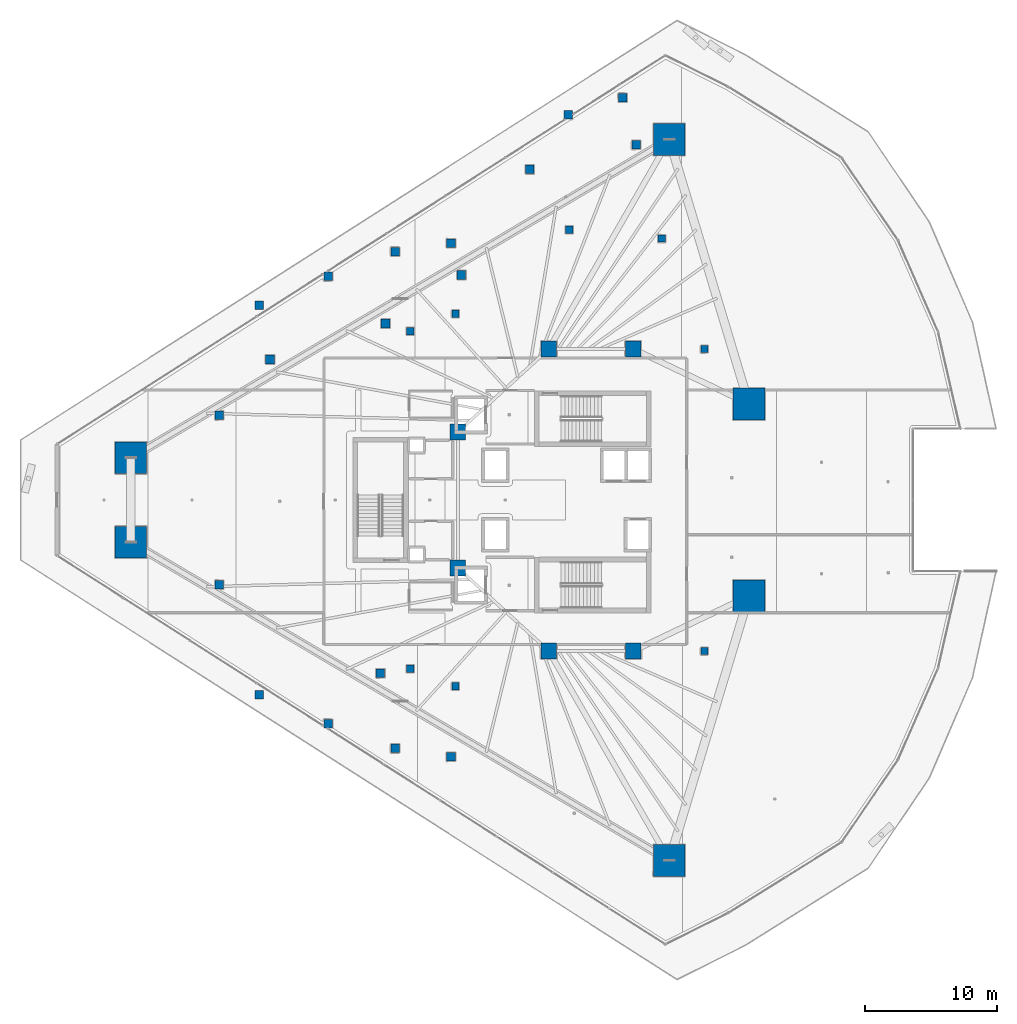
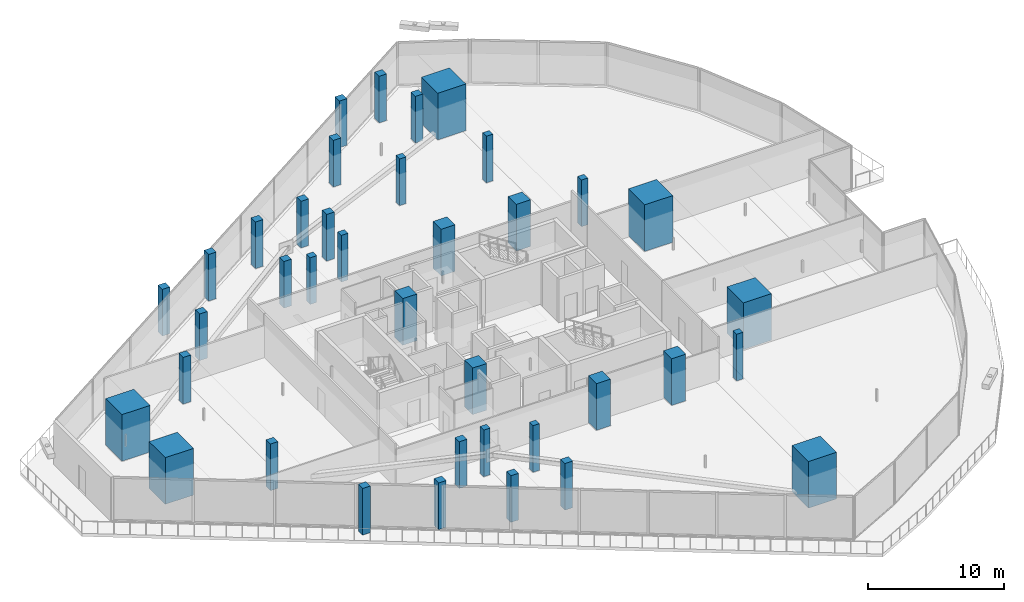
# One storey, part 1 of 43: 38 columns.
"""IFC4 building model written with IfcOpenShell, lengths in metres."""

from ifc_helpers import new_model, si_unit, direction, frame, origin, origin_2d, place, context, subcontext, project, spatial, rectangle, extrude, material, material_profile, profile_set, type_object, element, save


model = new_model("IFC4")

# Units and contexts
model_context = context("Model", 3, precision=1e-05, world=origin(), true_north=direction((0.0, 1.0)))
body_context = subcontext(model_context, "Body", "Model", "MODEL_VIEW")
ifc_project = project(units=[si_unit("LENGTHUNIT", "METRE"), si_unit("AREAUNIT", "SQUARE_METRE"), si_unit("VOLUMEUNIT", "CUBIC_METRE"), si_unit("PLANEANGLEUNIT", "RADIAN"), si_unit("MASSUNIT", "GRAM", prefix="KILO")], contexts=[model_context])

# Site, building, storey
site_placement = place(None, origin())
site = spatial("IfcSite", under=ifc_project, at=site_placement, CompositionType="ELEMENT")
building_placement = place(site_placement, origin())
building = spatial("IfcBuilding", under=site, at=building_placement, Name="Qorvath Tower", CompositionType="ELEMENT")
storey_placement = place(building_placement, frame((0.0, 0.0, 36.60009765625)))
storey = spatial("IfcBuildingStorey", under=building, at=storey_placement, Name="L07", CompositionType="ELEMENT", Elevation=36.60009765625)

# Columns
ifc_material_1 = material(Name="Concrete C70/85", Category="concrete")
ifc_material_profile_1 = material_profile(ifc_material_1, rectangle(XDim=2.39990234375, YDim=2.39990234375, at=origin_2d()), Name="MC 2400x2400")
ifc_profile_set_1 = profile_set([ifc_material_profile_1], Name="Concrete C70/85")
column_type_1 = type_object("IfcColumnType", Name="COL-MC1", PredefinedType="COLUMN", material=ifc_profile_set_1)
for number, where, z_axis, x_axis, name in (
    (1, (-55.282958984375, 3.194580078125, 0.0), (0.0, 0.0, 1.0), (1.0, 0.0, 0.0), "Composite Mega-Column MC1 L07"),
    (2, (-55.282958984375, -3.194580078125, 0.0), (0.0, 0.0, 1.0), (1.0, 0.0, 0.0), "Composite Mega-Column MC2 L07"),
    (3, (-14.46435546875, -27.330810546875, 0.0), (0.0, 0.0, 1.0), (1.0, 0.0, 0.0), "Composite Mega-Column MC3 L07"),
    (4, (-8.430419921875, -7.2763671875, 0.0), (0.0, 0.0, 1.0), (1.0, 0.0, 0.0), "Composite Mega-Column MC4 L07"),
    (5, (-8.430419921875, 7.2763671875, 0.0), (0.0, 0.0, 1.0), (1.0, 0.0, 0.0), "Composite Mega-Column MC5 L07"),
    (6, (-14.46435546875, 27.330810546875, 0.0), (0.0, 0.0, 1.0), (1.0, 0.0, 0.0), "Composite Mega-Column MC6 L07"),
):
    element("IfcColumn", number, at=place(storey_placement, frame(where, z_axis=z_axis, x_axis=x_axis)), inside=storey, type_object=column_type_1, Name=name, PredefinedType="COLUMN", context=body_context, shape_type="SweptSolid", body=[
        extrude(rectangle(XDim=2.39990234375, YDim=2.39990234375, at=origin_2d()), origin(), (0.0, 0.0, 1.0), 4.199951171875),
    ])
ifc_material_2 = material(Name="Concrete C60/75", Category="concrete")
ifc_material_profile_2 = material_profile(ifc_material_2, rectangle(XDim=1.199951171875, YDim=1.199951171875, at=origin_2d()), Name="RC 1200x1200")
ifc_profile_set_2 = profile_set([ifc_material_profile_2], Name="Concrete C60/75")
column_type_2 = type_object("IfcColumnType", Name="COL-RC1", PredefinedType="COLUMN", material=ifc_profile_set_2)
for number, where, z_axis, x_axis, name in (
    (7, (-23.60009765625, 11.449951171875, 0.0), (0.0, 0.0, 1.0), (1.0, 0.0, 0.0), "Core Spine Column CC1 L07"),
    (8, (-17.199951171875, 11.449951171875, 0.0), (0.0, 0.0, 1.0), (1.0, 0.0, 0.0), "Core Spine Column CC2 L07"),
    (9, (-17.199951171875, -11.449951171875, 0.0), (0.0, 0.0, 1.0), (1.0, 0.0, 0.0), "Core Spine Column CC3 L07"),
    (10, (-23.60009765625, -11.449951171875, 0.0), (0.0, 0.0, 1.0), (1.0, 0.0, 0.0), "Core Spine Column CC4 L07"),
    (11, (-30.5, 5.14990234375, 0.0), (0.0, 0.0, 1.0), (1.0, 0.0, 0.0), "Core Spine Column CC5 L07"),
    (12, (-30.5, -5.14990234375, 0.0), (0.0, 0.0, 1.0), (1.0, 0.0, 0.0), "Core Spine Column CC6 L07"),
):
    element("IfcColumn", number, at=place(storey_placement, frame(where, z_axis=z_axis, x_axis=x_axis)), inside=storey, type_object=column_type_2, Name=name, PredefinedType="COLUMN", context=body_context, shape_type="SweptSolid", body=[
        extrude(rectangle(XDim=1.199951171875, YDim=1.199951171875, at=origin_2d()), origin(), (0.0, 0.0, 1.0), 4.199951171875),
    ])
ifc_material_3 = material(Name="Concrete C45/55", Category="concrete")
ifc_material_profile_3 = material_profile(ifc_material_3, rectangle(XDim=0.64990234375, YDim=0.64990234375, at=origin_2d()), Name="RC 650x650")
ifc_profile_set_3 = profile_set([ifc_material_profile_3], Name="Concrete C45/55")
column_type_3 = type_object("IfcColumnType", Name="COL-RC6", PredefinedType="COLUMN", material=ifc_profile_set_3)
for number, where, z_axis, x_axis, name in (
    (13, (-45.536376953125, 14.774658203125, 0.0), (0.0, 0.0, 1.0), (1.0, 0.0, 0.0), "Loggia Frame Pier Column LGA1 L07"),
    (14, (-45.536376953125, -14.774658203125, 0.0), (0.0, 0.0, 1.0), (1.0, 0.0, 0.0), "Loggia Frame Pier Column LGA2 L07"),
    (15, (-22.13134765625, 29.20556640625, 0.0), (0.0, 0.0, 1.0), (1.0, 0.0, 0.0), "Loggia Frame Pier Column LGA3 L07"),
    (16, (-40.33251953125, 16.955810546875, 0.0), (0.0, 0.0, 1.0), (1.0, 0.0, 0.0), "Loggia Frame Pier Column LGB1 L07"),
    (17, (-40.33251953125, -16.955810546875, 0.0), (0.0, 0.0, 1.0), (1.0, 0.0, 0.0), "Loggia Frame Pier Column LGB2 L07"),
    (18, (-18.0, 30.5, 0.0), (0.0, 0.0, 1.0), (1.0, 0.0, 0.0), "Loggia Frame Pier Column LGB3 L07"),
    (19, (-35.251708984375, 18.829345703125, 0.0), (0.0, 0.0, 1.0), (1.0, 0.0, 0.0), "Loggia Frame Pier Column LGC1 L07"),
    (20, (-35.251708984375, -18.829345703125, 0.0), (0.0, 0.0, 1.0), (1.0, 0.0, 0.0), "Loggia Frame Pier Column LGC2 L07"),
    (21, (-25.03759765625, 25.058837890625, 0.0), (0.0, 0.0, 1.0), (1.0, 0.0, 0.0), "Loggia Frame Pier Column LGC3 L07"),
    (22, (-31.01611328125, 19.46044921875, 0.0), (0.0, 0.0, 1.0), (1.0, 0.0, 0.0), "Loggia Frame Pier Column LGD1 L07"),
    (23, (-31.01611328125, -19.46044921875, 0.0), (0.0, 0.0, 1.0), (1.0, 0.0, 0.0), "Loggia Frame Pier Column LGD2 L07"),
    (24, (-44.736328125, 10.65234375, 0.0), (0.0, 0.0, 1.0), (1.0, 0.0, 0.0), "Loggia Frame Pier Column LGD3 L07"),
    (25, (-48.578369140625, 6.424560546875, 0.0), (0.0, 0.0, 1.0), (1.0, 0.0, 0.0), "Loggia Frame Pier Column LGE1 L07"),
    (26, (-48.578369140625, -6.424560546875, 0.0), (0.0, 0.0, 1.0), (1.0, 0.0, 0.0), "Loggia Frame Pier Column LGE2 L07"),
    (27, (-16.981201171875, 26.92919921875, 0.0), (0.0, 0.0, 1.0), (1.0, 0.0, 0.0), "Loggia Frame Pier Column LGE3 L07"),
    (28, (-35.980712890625, 13.380859375, 0.0), (0.0, 0.0, 1.0), (1.0, 0.0, 0.0), "Loggia Frame Pier Column LGF1 L07"),
    (29, (-36.36474609375, -13.135498046875, 0.0), (0.0, 0.0, 1.0), (1.0, 0.0, 0.0), "Loggia Frame Pier Column LGF2 L07"),
    (30, (-30.224853515625, 17.0595703125, 0.0), (0.0, 0.0, 1.0), (1.0, 0.0, 0.0), "Loggia Frame Pier Column LGF3 L07"),
):
    element("IfcColumn", number, at=place(storey_placement, frame(where, z_axis=z_axis, x_axis=x_axis)), inside=storey, type_object=column_type_3, Name=name, PredefinedType="COLUMN", context=body_context, shape_type="SweptSolid", body=[
        extrude(rectangle(XDim=0.64990234375, YDim=0.64990234375, at=origin_2d()), origin(), (0.0, 0.0, 1.0), 4.199951171875),
    ])
ifc_material_4 = material(Name="Concrete C45/55", Category="concrete")
ifc_material_profile_4 = material_profile(ifc_material_4, rectangle(XDim=0.550048828125, YDim=0.550048828125, at=origin_2d()), Name="RC 550x550")
ifc_profile_set_4 = profile_set([ifc_material_profile_4], Name="Concrete C45/55")
column_type_4 = type_object("IfcColumnType", Name="COL-RC7", PredefinedType="COLUMN", material=ifc_profile_set_4)
for number, where, z_axis, x_axis, name in (
    (31, (-34.104248046875, 12.79248046875, 0.0), (0.0, 0.0, 1.0), (1.0, 0.0, 0.0), "Loggia Frame Pier Column LGG1 L07"),
    (32, (-34.104248046875, -12.79248046875, 0.0), (0.0, 0.0, 1.0), (1.0, 0.0, 0.0), "Loggia Frame Pier Column LGG2 L07"),
    (33, (-22.05322265625, 20.494873046875, 0.0), (0.0, 0.0, 1.0), (1.0, 0.0, 0.0), "Loggia Frame Pier Column LGG3 L07"),
    (34, (-30.67724609375, 14.124267578125, 0.0), (0.0, 0.0, 1.0), (1.0, 0.0, 0.0), "Loggia Frame Pier Column LGH1 L07"),
    (35, (-30.67724609375, -14.124267578125, 0.0), (0.0, 0.0, 1.0), (1.0, 0.0, 0.0), "Loggia Frame Pier Column LGH2 L07"),
    (36, (-15.046142578125, 19.818115234375, 0.0), (0.0, 0.0, 1.0), (1.0, 0.0, 0.0), "Loggia Frame Pier Column LGH3 L07"),
    (37, (-11.800048828125, -11.449951171875, 0.0), (0.0, 0.0, 1.0), (1.0, 0.0, 0.0), "Central Slot Jamb Column SC1 L07"),
    (38, (-11.800048828125, 11.449951171875, 0.0), (0.0, 0.0, 1.0), (1.0, 0.0, 0.0), "Central Slot Jamb Column SC2 L07"),
):
    element("IfcColumn", number, at=place(storey_placement, frame(where, z_axis=z_axis, x_axis=x_axis)), inside=storey, type_object=column_type_4, Name=name, PredefinedType="COLUMN", context=body_context, shape_type="SweptSolid", body=[
        extrude(rectangle(XDim=0.550048828125, YDim=0.550048828125, at=origin_2d()), origin(), (0.0, 0.0, 1.0), 4.199951171875),
    ])

save(model, "model.ifc")
